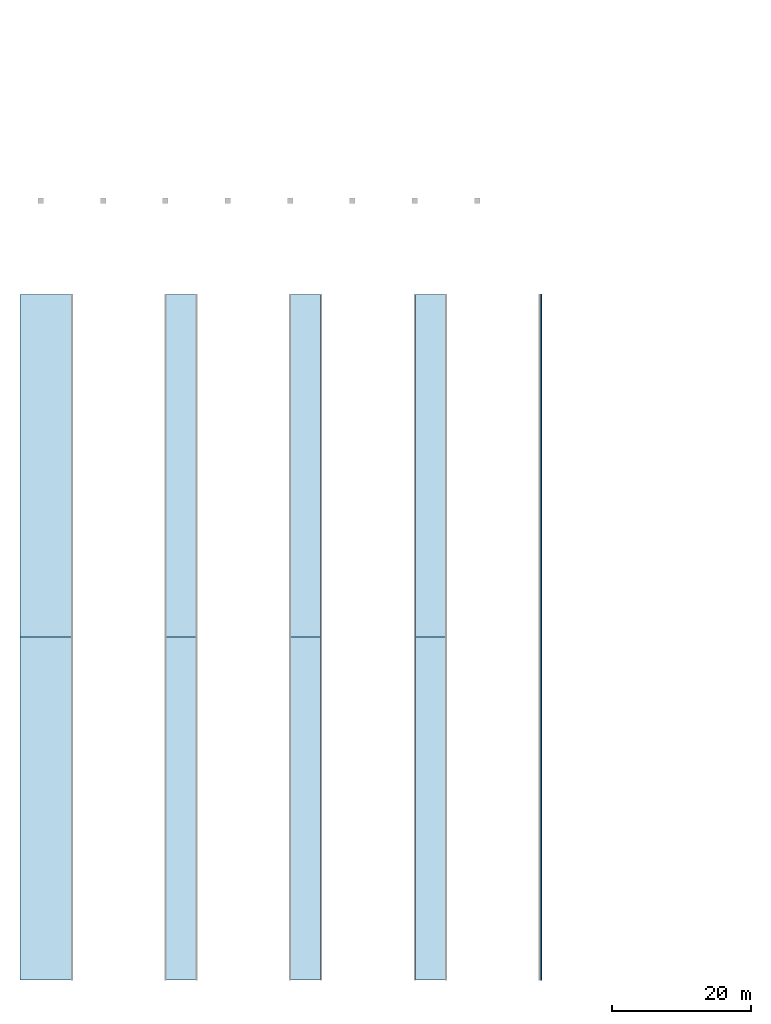
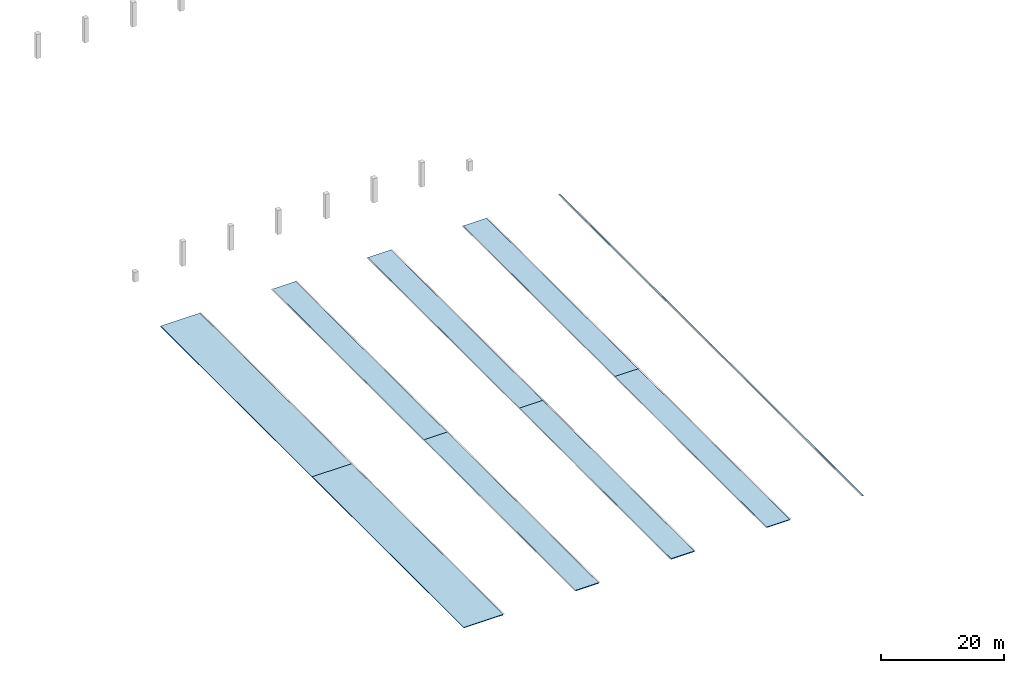
# One storey, part 14 of 15: 10 slabs.
"""IFC4 building model written with IfcOpenShell, lengths in metres."""

from ifc_helpers import new_model, si_unit, direction, frame, origin, place, context, subcontext, project, spatial, polyline, outline, extrude, material, layer, layer_set, type_object, element, save


model = new_model("IFC4")

# Units and contexts
model_context = context("Model", 3, precision=1e-05, world=origin(), true_north=direction((0.0, 1.0)))
body_context = subcontext(model_context, "Body", "Model", "MODEL_VIEW")
ifc_project = project(units=[si_unit("LENGTHUNIT", "METRE"), si_unit("AREAUNIT", "SQUARE_METRE"), si_unit("VOLUMEUNIT", "CUBIC_METRE"), si_unit("PLANEANGLEUNIT", "RADIAN"), si_unit("MASSUNIT", "GRAM", prefix="KILO")], contexts=[model_context])

# Site, building, storey
site_placement = place(None, origin())
site = spatial("IfcSite", under=ifc_project, at=site_placement, CompositionType="ELEMENT")
building_placement = place(site_placement, origin())
building = spatial("IfcBuilding", under=site, at=building_placement, Name="Opaline Strait Convention Centre", CompositionType="ELEMENT")
storey_placement = place(building_placement, frame((0.0, 0.0, 20.10009765625)))
storey = spatial("IfcBuildingStorey", under=building, at=storey_placement, Name="Roof Restaurants and Business Centre", CompositionType="ELEMENT", Elevation=20.10009765625)

# Slabs
ifc_material = material(Name="Concrete C30", Category="concrete")
ifc_layer = layer(ifc_material, 0.14990234375)
ifc_layer_set = layer_set([ifc_layer], Name="Concrete C30")
slab_type = type_object("IfcSlabType", Name="Roof deck 150 C30", PredefinedType="ROOF", material=ifc_layer_set)
for number, where, z_axis, x_axis, name in (
    (1, (6.0, 4.5, 0.14990234375), (0.0, 0.0, 1.0), (1.0, 0.0, 0.0), "RS4 roof deck facet 1 south pour"),
    (2, (6.0, 54.0, 0.14990234375), (0.0, 0.0, 1.0), (1.0, 0.0, 0.0), "RS4 roof deck facet 1 north pour"),
):
    element("IfcSlab", number, at=place(storey_placement, frame(where, z_axis=z_axis, x_axis=x_axis)), inside=storey, type_object=slab_type, Name=name, PredefinedType="ROOF", context=body_context, shape_type="SweptSolid", body=[
        extrude(outline(polyline([(0.0, 0.0), (7.419921875, 0.0), (7.419921875, 49.5), (0.0, 49.5), (0.0, 0.0)])), origin(), (0.0, 0.0, -1.0), 0.14990234375),
    ])
for number, where, z_axis, x_axis, name in (
    (3, (27.080078125, 4.5, 0.14990234375), (0.0, 0.0, 1.0), (1.0, 0.0, 0.0), "RS4 roof deck facet 5 south pour"),
    (4, (27.080078125, 54.0, 0.14990234375), (0.0, 0.0, 1.0), (1.0, 0.0, 0.0), "RS4 roof deck facet 5 north pour"),
    (5, (45.080078125, 4.5, 0.14990234375), (0.0, 0.0, 1.0), (1.0, 0.0, 0.0), "RS4 roof deck facet 9 south pour"),
    (6, (45.080078125, 54.0, 0.14990234375), (0.0, 0.0, 1.0), (1.0, 0.0, 0.0), "RS4 roof deck facet 9 north pour"),
    (7, (63.080078125, 4.5, 0.14990234375), (0.0, 0.0, 1.0), (1.0, 0.0, 0.0), "RS4 roof deck facet 13 south pour"),
    (8, (63.080078125, 54.0, 0.14990234375), (0.0, 0.0, 1.0), (1.0, 0.0, 0.0), "RS4 roof deck facet 13 north pour"),
):
    element("IfcSlab", number, at=place(storey_placement, frame(where, z_axis=z_axis, x_axis=x_axis)), inside=storey, type_object=slab_type, Name=name, PredefinedType="ROOF", context=body_context, shape_type="SweptSolid", body=[
        extrude(outline(polyline([(0.0, 0.0), (4.33984375, 0.0), (4.33984375, 49.5), (0.0, 49.5), (0.0, 0.0)])), origin(), (0.0, 0.0, -1.0), 0.14990234375),
    ])
for number, where, z_axis, x_axis, name in (
    (9, (81.080078125, 4.5, 0.14990234375), (0.0, 0.0, 1.0), (1.0, 0.0, 0.0), "RS4 roof deck facet 17 south pour"),
    (10, (81.080078125, 54.0, 0.14990234375), (0.0, 0.0, 1.0), (1.0, 0.0, 0.0), "RS4 roof deck facet 17 north pour"),
):
    element("IfcSlab", number, at=place(storey_placement, frame(where, z_axis=z_axis, x_axis=x_axis)), inside=storey, type_object=slab_type, Name=name, PredefinedType="ROOF", context=body_context, shape_type="SweptSolid", body=[
        extrude(outline(polyline([(0.0, 0.0), (0.219970703125, 0.0), (0.219970703125, 49.5), (0.0, 49.5), (0.0, 0.0)])), origin(), (0.0, 0.0, -1.0), 0.14990234375),
    ])

save(model, "model.ifc")
